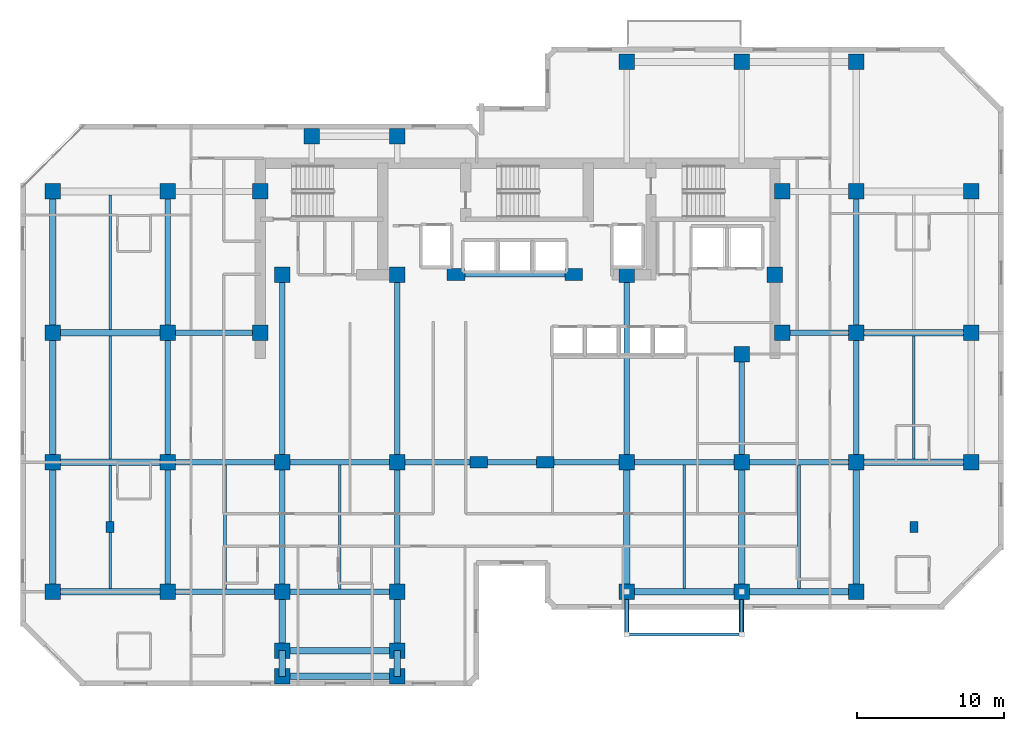
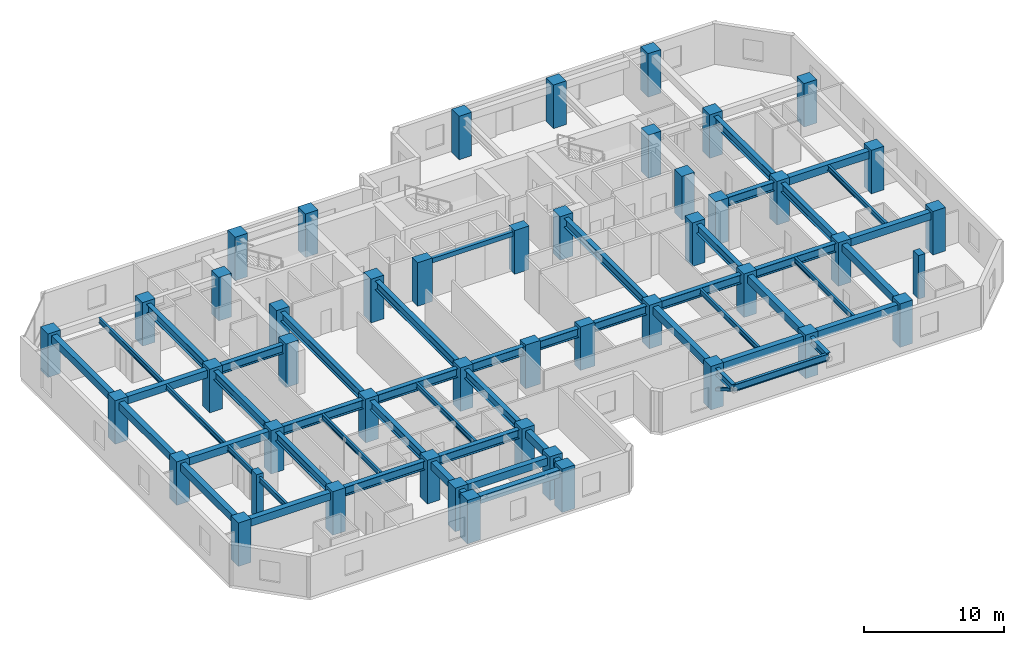
# One storey, part 1 of 10: 53 beams, 47 columns, 2 members.
"""IFC4 building model written with IfcOpenShell, lengths in metres."""

from ifc_helpers import new_model, si_unit, direction, frame, origin, origin_2d, place, context, subcontext, project, spatial, rectangle, hollow_rectangle, i_section, extrude, material, material_profile, profile_set, type_object, element, save


model = new_model("IFC4")

# Units and contexts
model_context = context("Model", 3, precision=1e-05, world=origin(), true_north=direction((0.0, 1.0)))
body_context = subcontext(model_context, "Body", "Model", "MODEL_VIEW")
ifc_project = project(units=[si_unit("LENGTHUNIT", "METRE"), si_unit("AREAUNIT", "SQUARE_METRE"), si_unit("VOLUMEUNIT", "CUBIC_METRE"), si_unit("PLANEANGLEUNIT", "RADIAN"), si_unit("MASSUNIT", "GRAM", prefix="KILO")], contexts=[model_context])

# Site, building, storey
site_placement = place(None, origin())
site = spatial("IfcSite", under=ifc_project, at=site_placement, CompositionType="ELEMENT")
building_placement = place(site_placement, origin())
building = spatial("IfcBuilding", under=site, at=building_placement, Name="Kestravale Grand Hotel", CompositionType="ELEMENT")
storey_placement = place(building_placement, frame((0.0, 0.0, 153.60009765625)))
storey = spatial("IfcBuildingStorey", under=building, at=storey_placement, Name="L38", CompositionType="ELEMENT", Elevation=153.60009765625)

# Columns
ifc_material_1 = material(Name="Concrete f'c 60 MPa", Category="concrete")
ifc_material_profile_1 = material_profile(ifc_material_1, rectangle(XDim=1.050048828125, YDim=1.050048828125, at=origin_2d()))
ifc_profile_set_1 = profile_set([ifc_material_profile_1], Name="Concrete f'c 60 MPa")
column_type_1 = type_object("IfcColumnType", Name="C-Z3-1050", PredefinedType="COLUMN", material=ifc_profile_set_1)
for number, where, z_axis, x_axis, name in (
    (1, (7.800048828125, 11.199951171875, 0.0), (0.0, 0.0, 1.0), (1.0, 0.0, 0.0), "L38 column 2-C"),
    (2, (7.800048828125, 20.0, 0.0), (0.0, 0.0, 1.0), (1.0, 0.0, 0.0), "L38 column 2-D"),
    (3, (7.800048828125, 28.800048828125, 0.0), (0.0, 0.0, 1.0), (1.0, 0.0, 0.0), "L38 column 2-E"),
    (4, (7.800048828125, 38.39990234375, 0.0), (0.0, 0.0, 1.0), (1.0, 0.0, 0.0), "L38 column 2-F"),
    (5, (15.60009765625, 11.199951171875, 0.0), (0.0, 0.0, 1.0), (1.0, 0.0, 0.0), "L38 column 3-C"),
    (6, (15.60009765625, 20.0, 0.0), (0.0, 0.0, 1.0), (1.0, 0.0, 0.0), "L38 column 3-D"),
    (7, (15.60009765625, 28.800048828125, 0.0), (0.0, 0.0, 1.0), (1.0, 0.0, 0.0), "L38 column 3-E"),
    (8, (15.60009765625, 38.39990234375, 0.0), (0.0, 0.0, 1.0), (1.0, 0.0, 0.0), "L38 column 3-F"),
    (9, (23.39990234375, 11.199951171875, 0.0), (0.0, 0.0, 1.0), (1.0, 0.0, 0.0), "L38 column 4-C"),
    (10, (23.39990234375, 20.0, 0.0), (0.0, 0.0, 1.0), (1.0, 0.0, 0.0), "L38 column 4-D"),
    (11, (31.199951171875, 11.199951171875, 0.0), (0.0, 0.0, 1.0), (1.0, 0.0, 0.0), "L38 column 5-C"),
    (12, (31.199951171875, 20.0, 0.0), (0.0, 0.0, 1.0), (1.0, 0.0, 0.0), "L38 column 5-D"),
    (13, (46.800048828125, 11.199951171875, 0.0), (0.0, 0.0, 1.0), (1.0, 0.0, 0.0), "L38 column 8-C"),
    (14, (46.800048828125, 20.0, 0.0), (0.0, 0.0, 1.0), (1.0, 0.0, 0.0), "L38 column 8-D"),
    (15, (46.800048828125, 47.199951171875, 0.0), (0.0, 0.0, 1.0), (1.0, 0.0, 0.0), "L38 column 8-G"),
    (16, (54.60009765625, 11.199951171875, 0.0), (0.0, 0.0, 1.0), (1.0, 0.0, 0.0), "L38 column 9-C"),
    (17, (54.60009765625, 20.0, 0.0), (0.0, 0.0, 1.0), (1.0, 0.0, 0.0), "L38 column 9-D"),
    (18, (54.60009765625, 47.199951171875, 0.0), (0.0, 0.0, 1.0), (1.0, 0.0, 0.0), "L38 column 9-G"),
    (19, (62.39990234375, 11.199951171875, 0.0), (0.0, 0.0, 1.0), (1.0, 0.0, 0.0), "L38 column 10-C"),
    (20, (62.39990234375, 20.0, 0.0), (0.0, 0.0, 1.0), (1.0, 0.0, 0.0), "L38 column 10-D"),
    (21, (62.39990234375, 28.800048828125, 0.0), (0.0, 0.0, 1.0), (1.0, 0.0, 0.0), "L38 column 10-E"),
    (22, (62.39990234375, 38.39990234375, 0.0), (0.0, 0.0, 1.0), (1.0, 0.0, 0.0), "L38 column 10-F"),
    (23, (62.39990234375, 47.199951171875, 0.0), (0.0, 0.0, 1.0), (1.0, 0.0, 0.0), "L38 column 10-G"),
    (24, (70.199951171875, 20.0, 0.0), (0.0, 0.0, 1.0), (1.0, 0.0, 0.0), "L38 column 11-D"),
    (25, (70.199951171875, 28.800048828125, 0.0), (0.0, 0.0, 1.0), (1.0, 0.0, 0.0), "L38 column 11-E"),
    (26, (70.199951171875, 38.39990234375, 0.0), (0.0, 0.0, 1.0), (1.0, 0.0, 0.0), "L38 column 11-F"),
    (27, (21.89990234375, 28.800048828125, 0.0), (0.0, 0.0, 1.0), (1.0, 0.0, 0.0), "L38 column CW-E"),
    (28, (21.89990234375, 38.39990234375, 0.0), (0.0, 0.0, 1.0), (1.0, 0.0, 0.0), "L38 column CW-F"),
    (29, (57.35009765625, 28.800048828125, 0.0), (0.0, 0.0, 1.0), (1.0, 0.0, 0.0), "L38 column CE-E"),
    (30, (57.35009765625, 38.39990234375, 0.0), (0.0, 0.0, 1.0), (1.0, 0.0, 0.0), "L38 column CE-F"),
    (31, (23.39990234375, 32.75, 0.0), (0.0, 0.0, 1.0), (1.0, 0.0, 0.0), "L38 column 4-CS"),
    (32, (31.199951171875, 32.75, 0.0), (0.0, 0.0, 1.0), (1.0, 0.0, 0.0), "L38 column 5-CS"),
    (33, (46.800048828125, 32.75, 0.0), (0.0, 0.0, 1.0), (1.0, 0.0, 0.0), "L38 column 8-CS"),
    (34, (54.60009765625, 27.35009765625, 0.0), (0.0, 0.0, 1.0), (1.0, 0.0, 0.0), "L38 column 9-CS"),
    (35, (56.85009765625, 32.75, 0.0), (0.0, 0.0, 1.0), (1.0, 0.0, 0.0), "L38 column 9C-CS"),
    (36, (23.39990234375, 7.199951171875, 0.0), (0.0, 0.0, 1.0), (1.0, 0.0, 0.0), "L38 column 4-BS"),
    (37, (31.199951171875, 7.199951171875, 0.0), (0.0, 0.0, 1.0), (1.0, 0.0, 0.0), "L38 column 5-BS"),
    (38, (25.39990234375, 42.14990234375, 0.0), (0.0, 0.0, 1.0), (1.0, 0.0, 0.0), "L38 column 4-FN"),
    (39, (31.199951171875, 42.14990234375, 0.0), (0.0, 0.0, 1.0), (1.0, 0.0, 0.0), "L38 column 5-FN"),
    (40, (23.39990234375, 5.449951171875, 0.0), (0.0, 0.0, 1.0), (1.0, 0.0, 0.0), "L38 column 4-B1S"),
    (41, (31.199951171875, 5.449951171875, 0.0), (0.0, 0.0, 1.0), (1.0, 0.0, 0.0), "L38 column 5-B1S"),
):
    element("IfcColumn", number, at=place(storey_placement, frame(where, z_axis=z_axis, x_axis=x_axis)), inside=storey, type_object=column_type_1, Name=name, PredefinedType="COLUMN", context=body_context, shape_type="SweptSolid", body=[
        extrude(rectangle(XDim=1.050048828125, YDim=1.050048828125, at=origin_2d()), origin(), (0.0, 0.0, 1.0), 3.7998046875),
    ])
ifc_material_2 = material(Name="Concrete f'c 60 MPa", Category="concrete")
ifc_material_profile_2 = material_profile(ifc_material_2, rectangle(XDim=1.199951171875, YDim=0.800048828125, at=origin_2d()))
ifc_profile_set_2 = profile_set([ifc_material_profile_2], Name="Concrete f'c 60 MPa")
column_type_2 = type_object("IfcColumnType", Name="C-Z3-1200X800", PredefinedType="COLUMN", material=ifc_profile_set_2)
for number, where, z_axis, x_axis, name in (
    (42, (36.75, 20.0, 0.0), (0.0, 0.0, 1.0), (1.0, 0.0, 0.0), "L38 column 6-D"),
    (43, (41.25, 20.0, 0.0), (0.0, 0.0, 1.0), (1.0, 0.0, 0.0), "L38 column 7-D"),
    (44, (35.199951171875, 32.75, 0.0), (0.0, 0.0, 1.0), (1.0, 0.0, 0.0), "L38 column 6C-CS"),
    (45, (43.199951171875, 32.75, 0.0), (0.0, 0.0, 1.0), (1.0, 0.0, 0.0), "L38 column 7C-CS"),
):
    element("IfcColumn", number, at=place(storey_placement, frame(where, z_axis=z_axis, x_axis=x_axis)), inside=storey, type_object=column_type_2, Name=name, PredefinedType="COLUMN", context=body_context, shape_type="SweptSolid", body=[
        extrude(rectangle(XDim=1.199951171875, YDim=0.800048828125, at=origin_2d()), origin(), (0.0, 0.0, 1.0), 3.7998046875),
    ])
ifc_material_3 = material(Name="Precast concrete f'c 45 MPa", Category="concrete")
ifc_material_profile_3 = material_profile(ifc_material_3, rectangle(XDim=0.550048828125, YDim=0.75, at=origin_2d()))
ifc_profile_set_3 = profile_set([ifc_material_profile_3], Name="Precast concrete f'c 45 MPa")
column_type_3 = type_object("IfcColumnType", Name="C-Z3-PIL750", PredefinedType="PILASTER", material=ifc_profile_set_3)
for number, where, z_axis, x_axis, name in (
    (46, (11.699951171875, 15.60009765625, 0.0), (0.0, 0.0, 1.0), (1.0, 0.0, 0.0), "L38 Art Deco fluted pilaster P1"),
    (47, (66.300048828125, 15.60009765625, 0.0), (0.0, 0.0, 1.0), (1.0, 0.0, 0.0), "L38 Art Deco fluted pilaster P2"),
):
    element("IfcColumn", number, at=place(storey_placement, frame(where, z_axis=z_axis, x_axis=x_axis)), inside=storey, type_object=column_type_3, Name=name, PredefinedType="PILASTER", context=body_context, shape_type="SweptSolid", body=[
        extrude(rectangle(XDim=0.550048828125, YDim=0.75, at=origin_2d()), origin(), (0.0, 0.0, 1.0), 3.7998046875),
    ])

# Beams
ifc_material_4 = material(Name="Steel ASTM A992 Grade 50", Category="steel")
ifc_material_profile_4 = material_profile(ifc_material_4, i_section(OverallWidth=0.19091796875, OverallDepth=0.45703125, WebThickness=0.009033203125, FlangeThickness=0.014404296875, FilletRadius=0.015380859375, at=origin_2d()))
ifc_profile_set_4 = profile_set([ifc_material_profile_4], Name="Steel ASTM A992 Grade 50")
beam_type_1 = type_object("IfcBeamType", Name="B-FLR-JST18", PredefinedType="JOIST", material=ifc_profile_set_4)
for number, where, z_axis, x_axis, name in (
    (48, (11.699951171875, 11.425048828125, 3.3212890625), (0.0, 1.0, 0.0), (-1.0, 0.0, 0.0), "L38 floor joist 2-3/C-D #1"),
    (49, (11.699951171875, 20.22509765625, 3.3212890625), (0.0, 1.0, 0.0), (-1.0, 0.0, 0.0), "L38 floor joist 2-3/D-E #1"),
):
    element("IfcBeam", number, at=place(storey_placement, frame(where, z_axis=z_axis, x_axis=x_axis)), inside=storey, type_object=beam_type_1, Name=name, PredefinedType="JOIST", context=body_context, shape_type="SweptSolid", body=[
        extrude(i_section(OverallWidth=0.19091796875, OverallDepth=0.45703125, WebThickness=0.009033203125, FlangeThickness=0.014404296875, FilletRadius=0.015380859375, at=origin_2d()), origin(), (0.0, 0.0, 1.0), 8.349853515625),
    ])
beam_1_placement = place(storey_placement, frame((11.699951171875, 29.02490234375, 3.3212890625), z_axis=(0.0, 1.0, 0.0), x_axis=(-1.0, 0.0, 0.0)))
element("IfcBeam", 50, at=beam_1_placement, inside=storey, type_object=beam_type_1, Name="L38 floor joist 2-3/E-F #1", PredefinedType="JOIST", context=body_context, shape_type="SweptSolid", body=[
    extrude(i_section(OverallWidth=0.19091796875, OverallDepth=0.45703125, WebThickness=0.009033203125, FlangeThickness=0.014404296875, FilletRadius=0.015380859375, at=origin_2d()), origin(), (0.0, 0.0, 1.0), 9.150146484375),
])
for number, where, z_axis, x_axis, name in (
    (51, (19.5, 11.390380859375, 3.3212890625), (0.0, 1.0, 0.0), (-1.0, 0.0, 0.0), "L38 floor joist 3-4/C-D #1"),
    (52, (27.300048828125, 11.390380859375, 3.3212890625), (0.0, 1.0, 0.0), (-1.0, 0.0, 0.0), "L38 floor joist 4-5/C-D #1"),
):
    element("IfcBeam", number, at=place(storey_placement, frame(where, z_axis=z_axis, x_axis=x_axis)), inside=storey, type_object=beam_type_1, Name=name, PredefinedType="JOIST", context=body_context, shape_type="SweptSolid", body=[
        extrude(i_section(OverallWidth=0.19091796875, OverallDepth=0.45703125, WebThickness=0.009033203125, FlangeThickness=0.014404296875, FilletRadius=0.015380859375, at=origin_2d()), origin(), (0.0, 0.0, 1.0), 8.419189453125),
    ])
for number, where, z_axis, x_axis, name in (
    (53, (50.699951171875, 11.425048828125, 3.3212890625), (0.0, 1.0, 0.0), (-1.0, 0.0, 0.0), "L38 floor joist 8-9/C-D #1"),
    (54, (58.5, 11.425048828125, 3.3212890625), (0.0, 1.0, 0.0), (-1.0, 0.0, 0.0), "L38 floor joist 9-10/C-D #1"),
):
    element("IfcBeam", number, at=place(storey_placement, frame(where, z_axis=z_axis, x_axis=x_axis)), inside=storey, type_object=beam_type_1, Name=name, PredefinedType="JOIST", context=body_context, shape_type="SweptSolid", body=[
        extrude(i_section(OverallWidth=0.19091796875, OverallDepth=0.45703125, WebThickness=0.009033203125, FlangeThickness=0.014404296875, FilletRadius=0.015380859375, at=origin_2d()), origin(), (0.0, 0.0, 1.0), 8.384521484375),
    ])
beam_2_placement = place(storey_placement, frame((66.300048828125, 20.22509765625, 3.3212890625), z_axis=(0.0, 1.0, 0.0), x_axis=(-1.0, 0.0, 0.0)))
element("IfcBeam", 55, at=beam_2_placement, inside=storey, type_object=beam_type_1, Name="L38 floor joist 10-11/D-E #1", PredefinedType="JOIST", context=body_context, shape_type="SweptSolid", body=[
    extrude(i_section(OverallWidth=0.19091796875, OverallDepth=0.45703125, WebThickness=0.009033203125, FlangeThickness=0.014404296875, FilletRadius=0.015380859375, at=origin_2d()), origin(), (0.0, 0.0, 1.0), 8.349853515625),
])
ifc_material_5 = material(Name="Concrete f'c 45 MPa", Category="concrete")
ifc_material_profile_5 = material_profile(ifc_material_5, rectangle(XDim=0.300048828125, YDim=0.39990234375, at=origin_2d()))
ifc_profile_set_5 = profile_set([ifc_material_profile_5], Name="Concrete f'c 45 MPa")
beam_type_2 = type_object("IfcBeamType", Name="B-FLR-LNT400", PredefinedType="LINTEL", material=ifc_profile_set_5)
beam_3_placement = place(storey_placement, frame((35.199951171875, 32.75, 3.349853515625), z_axis=(1.0, 0.0, 0.0), x_axis=(0.0, 1.0, 0.0)))
element("IfcBeam", 56, at=beam_3_placement, inside=storey, type_object=beam_type_2, Name="L38 core portal header lintel", PredefinedType="LINTEL", context=body_context, shape_type="SweptSolid", body=[
    extrude(rectangle(XDim=0.300048828125, YDim=0.39990234375, at=origin_2d()), origin(), (0.0, 0.0, 1.0), 8.0),
])
ifc_material_6 = material(Name="Concrete f'c 45 MPa", Category="concrete")
ifc_material_profile_6 = material_profile(ifc_material_6, rectangle(XDim=0.449951171875, YDim=0.64990234375, at=origin_2d()))
ifc_profile_set_6 = profile_set([ifc_material_profile_6], Name="Concrete f'c 45 MPa")
beam_type_3 = type_object("IfcBeamType", Name="B-FLR-RC650", PredefinedType="SPANDREL", material=ifc_profile_set_6)
for number, where, z_axis, x_axis, name in (
    (57, (7.800048828125, 11.199951171875, 3.224853515625), (1.0, 0.0, 0.0), (0.0, 1.0, 0.0), "L38 spandrel C:2-3"),
    (58, (46.800048828125, 11.199951171875, 3.224853515625), (1.0, 0.0, 0.0), (0.0, 1.0, 0.0), "L38 spandrel C:8-9"),
):
    element("IfcBeam", number, at=place(storey_placement, frame(where, z_axis=z_axis, x_axis=x_axis)), inside=storey, type_object=beam_type_3, Name=name, PredefinedType="SPANDREL", context=body_context, shape_type="SweptSolid", body=[
        extrude(rectangle(XDim=0.449951171875, YDim=0.64990234375, at=origin_2d()), origin(), (0.0, 0.0, 1.0), 7.800048828125),
    ])
beam_4_placement = place(storey_placement, frame((54.60009765625, 11.199951171875, 3.224853515625), z_axis=(1.0, 0.0, 0.0), x_axis=(0.0, 1.0, 0.0)))
element("IfcBeam", 59, at=beam_4_placement, inside=storey, type_object=beam_type_3, Name="L38 spandrel C:9-10", PredefinedType="SPANDREL", context=body_context, shape_type="SweptSolid", body=[
    extrude(rectangle(XDim=0.449951171875, YDim=0.64990234375, at=origin_2d()), origin(), (0.0, 0.0, 1.0), 7.7998046875),
])
for number, where, z_axis, x_axis, name in (
    (60, (7.800048828125, 20.0, 3.224853515625), (1.0, 0.0, 0.0), (0.0, 1.0, 0.0), "L38 spandrel D:2-3"),
    (61, (62.39990234375, 20.0, 3.224853515625), (1.0, 0.0, 0.0), (0.0, 1.0, 0.0), "L38 spandrel D:10-11"),
    (62, (7.800048828125, 28.800048828125, 3.224853515625), (1.0, 0.0, 0.0), (0.0, 1.0, 0.0), "L38 spandrel E:2-3"),
    (63, (62.39990234375, 28.800048828125, 3.224853515625), (1.0, 0.0, 0.0), (0.0, 1.0, 0.0), "L38 spandrel E:10-11"),
    (64, (23.39990234375, 5.449951171875, 3.224853515625), (1.0, 0.0, 0.0), (0.0, 1.0, 0.0), "L38 perimeter tie spandrel B1S:4-5"),
    (65, (23.39990234375, 7.199951171875, 3.224853515625), (1.0, 0.0, 0.0), (0.0, 1.0, 0.0), "L38 perimeter tie spandrel BS:4-5"),
):
    element("IfcBeam", number, at=place(storey_placement, frame(where, z_axis=z_axis, x_axis=x_axis)), inside=storey, type_object=beam_type_3, Name=name, PredefinedType="SPANDREL", context=body_context, shape_type="SweptSolid", body=[
        extrude(rectangle(XDim=0.449951171875, YDim=0.64990234375, at=origin_2d()), origin(), (0.0, 0.0, 1.0), 7.800048828125),
    ])
for number, where, z_axis, x_axis, name in (
    (66, (7.800048828125, 11.199951171875, 3.224853515625), (0.0, 1.0, 0.0), (-1.0, 0.0, 0.0), "L38 spandrel 2:C-D"),
    (67, (7.800048828125, 20.0, 3.224853515625), (0.0, 1.0, 0.0), (-1.0, 0.0, 0.0), "L38 spandrel 2:D-E"),
):
    element("IfcBeam", number, at=place(storey_placement, frame(where, z_axis=z_axis, x_axis=x_axis)), inside=storey, type_object=beam_type_3, Name=name, PredefinedType="SPANDREL", context=body_context, shape_type="SweptSolid", body=[
        extrude(rectangle(XDim=0.449951171875, YDim=0.64990234375, at=origin_2d()), origin(), (0.0, 0.0, 1.0), 8.800048828125),
    ])
beam_5_placement = place(storey_placement, frame((7.800048828125, 28.800048828125, 3.224853515625), z_axis=(0.0, 1.0, 0.0), x_axis=(-1.0, 0.0, 0.0)))
element("IfcBeam", 68, at=beam_5_placement, inside=storey, type_object=beam_type_3, Name="L38 spandrel 2:E-F", PredefinedType="SPANDREL", context=body_context, shape_type="SweptSolid", body=[
    extrude(rectangle(XDim=0.449951171875, YDim=0.64990234375, at=origin_2d()), origin(), (0.0, 0.0, 1.0), 9.599853515625),
])
beam_6_placement = place(storey_placement, frame((23.39990234375, 5.449951171875, 3.224853515625), z_axis=(0.0, 1.0, 0.0), x_axis=(-1.0, 0.0, 0.0)))
element("IfcBeam", 69, at=beam_6_placement, inside=storey, type_object=beam_type_3, Name="L38 spandrel 4:B1S-BS", PredefinedType="SPANDREL", context=body_context, shape_type="SweptSolid", body=[
    extrude(rectangle(XDim=0.449951171875, YDim=0.64990234375, at=origin_2d()), origin(), (0.0, 0.0, 1.0), 1.75),
])
beam_7_placement = place(storey_placement, frame((23.39990234375, 7.199951171875, 3.224853515625), z_axis=(0.0, 1.0, 0.0), x_axis=(-1.0, 0.0, 0.0)))
element("IfcBeam", 70, at=beam_7_placement, inside=storey, type_object=beam_type_3, Name="L38 spandrel 4:BS-C", PredefinedType="SPANDREL", context=body_context, shape_type="SweptSolid", body=[
    extrude(rectangle(XDim=0.449951171875, YDim=0.64990234375, at=origin_2d()), origin(), (0.0, 0.0, 1.0), 4.0),
])
beam_8_placement = place(storey_placement, frame((31.199951171875, 5.449951171875, 3.224853515625), z_axis=(0.0, 1.0, 0.0), x_axis=(-1.0, 0.0, 0.0)))
element("IfcBeam", 71, at=beam_8_placement, inside=storey, type_object=beam_type_3, Name="L38 spandrel 5:B1S-BS", PredefinedType="SPANDREL", context=body_context, shape_type="SweptSolid", body=[
    extrude(rectangle(XDim=0.449951171875, YDim=0.64990234375, at=origin_2d()), origin(), (0.0, 0.0, 1.0), 1.75),
])
beam_9_placement = place(storey_placement, frame((31.199951171875, 7.199951171875, 3.224853515625), z_axis=(0.0, 1.0, 0.0), x_axis=(-1.0, 0.0, 0.0)))
element("IfcBeam", 72, at=beam_9_placement, inside=storey, type_object=beam_type_3, Name="L38 spandrel 5:BS-C", PredefinedType="SPANDREL", context=body_context, shape_type="SweptSolid", body=[
    extrude(rectangle(XDim=0.449951171875, YDim=0.64990234375, at=origin_2d()), origin(), (0.0, 0.0, 1.0), 4.0),
])
for number, where, z_axis, x_axis, name in (
    (73, (46.800048828125, 11.199951171875, 3.224853515625), (0.0, 1.0, 0.0), (-1.0, 0.0, 0.0), "L38 spandrel 8:C-D"),
    (74, (54.60009765625, 11.199951171875, 3.224853515625), (0.0, 1.0, 0.0), (-1.0, 0.0, 0.0), "L38 spandrel 9:C-D"),
    (75, (62.39990234375, 11.199951171875, 3.224853515625), (0.0, 1.0, 0.0), (-1.0, 0.0, 0.0), "L38 spandrel 10:C-D"),
):
    element("IfcBeam", number, at=place(storey_placement, frame(where, z_axis=z_axis, x_axis=x_axis)), inside=storey, type_object=beam_type_3, Name=name, PredefinedType="SPANDREL", context=body_context, shape_type="SweptSolid", body=[
        extrude(rectangle(XDim=0.449951171875, YDim=0.64990234375, at=origin_2d()), origin(), (0.0, 0.0, 1.0), 8.800048828125),
    ])
ifc_material_7 = material(Name="Steel ASTM A992 Grade 50", Category="steel")
ifc_material_profile_7 = material_profile(ifc_material_7, i_section(OverallWidth=0.324951171875, OverallDepth=0.612060546875, WebThickness=0.0126953125, FlangeThickness=0.01904296875, FilletRadius=0.018798828125, at=origin_2d()))
ifc_profile_set_7 = profile_set([ifc_material_profile_7], Name="Steel ASTM A992 Grade 50")
beam_type_4 = type_object("IfcBeamType", Name="B-FLR-W24A", PredefinedType="SPANDREL", material=ifc_profile_set_7)
for number, where, z_axis, x_axis, name in (
    (76, (46.800048828125, 11.199951171875, 3.223876953125), (0.0, -1.0, 0.0), (1.0, 0.0, 0.0), "L39 terrace cantilever beam 1"),
    (77, (54.60009765625, 11.199951171875, 3.223876953125), (0.0, -1.0, 0.0), (1.0, 0.0, 0.0), "L39 terrace cantilever beam 2"),
):
    element("IfcBeam", number, at=place(storey_placement, frame(where, z_axis=z_axis, x_axis=x_axis)), inside=storey, type_object=beam_type_4, Name=name, PredefinedType="SPANDREL", context=body_context, shape_type="SweptSolid", body=[
        extrude(i_section(OverallWidth=0.324951171875, OverallDepth=0.612060546875, WebThickness=0.0126953125, FlangeThickness=0.01904296875, FilletRadius=0.018798828125, at=origin_2d()), origin(), (0.0, 0.0, 1.0), 2.89990234375),
    ])
ifc_material_8 = material(Name="Steel ASTM A992 Grade 50", Category="steel")
ifc_material_profile_8 = material_profile(ifc_material_8, i_section(OverallWidth=0.22900390625, OverallDepth=0.612060546875, WebThickness=0.011962890625, FlangeThickness=0.01953125, FilletRadius=0.019287109375, at=origin_2d()))
ifc_profile_set_8 = profile_set([ifc_material_profile_8], Name="Steel ASTM A992 Grade 50")
beam_type_5 = type_object("IfcBeamType", Name="B-FLR-W24B", PredefinedType="SPANDREL", material=ifc_profile_set_8)
beam_10_placement = place(storey_placement, frame((46.800048828125, 8.300048828125, 3.223876953125), z_axis=(1.0, 0.0, 0.0), x_axis=(0.0, 1.0, 0.0)))
element("IfcBeam", 78, at=beam_10_placement, inside=storey, type_object=beam_type_5, Name="L39 terrace edge spandrel", PredefinedType="SPANDREL", context=body_context, shape_type="SweptSolid", body=[
    extrude(i_section(OverallWidth=0.22900390625, OverallDepth=0.612060546875, WebThickness=0.011962890625, FlangeThickness=0.01953125, FilletRadius=0.019287109375, at=origin_2d()), origin(), (0.0, 0.0, 1.0), 7.800048828125),
])
ifc_material_9 = material(Name="Steel ASTM A992 Grade 50", Category="steel")
ifc_material_profile_9 = material_profile(ifc_material_9, i_section(OverallWidth=0.381103515625, OverallDepth=0.77197265625, WebThickness=0.0166015625, FlangeThickness=0.027099609375, FilletRadius=0.023681640625, at=origin_2d()))
ifc_profile_set_9 = profile_set([ifc_material_profile_9], Name="Steel ASTM A992 Grade 50")
beam_type_6 = type_object("IfcBeamType", Name="B-GRD-W30", PredefinedType="BEAM", material=ifc_profile_set_9)
beam_11_placement = place(storey_placement, frame((15.60009765625, 11.199951171875, 3.163818359375), z_axis=(1.0, 0.0, 0.0), x_axis=(0.0, 1.0, 0.0)))
element("IfcBeam", 79, at=beam_11_placement, inside=storey, type_object=beam_type_6, Name="L38 girder C:3-4", PredefinedType="BEAM", context=body_context, shape_type="SweptSolid", body=[
    extrude(i_section(OverallWidth=0.381103515625, OverallDepth=0.77197265625, WebThickness=0.0166015625, FlangeThickness=0.027099609375, FilletRadius=0.023681640625, at=origin_2d()), origin(), (0.0, 0.0, 1.0), 7.7998046875),
])
beam_12_placement = place(storey_placement, frame((23.39990234375, 11.199951171875, 3.163818359375), z_axis=(1.0, 0.0, 0.0), x_axis=(0.0, 1.0, 0.0)))
element("IfcBeam", 80, at=beam_12_placement, inside=storey, type_object=beam_type_6, Name="L38 girder C:4-5", PredefinedType="BEAM", context=body_context, shape_type="SweptSolid", body=[
    extrude(i_section(OverallWidth=0.381103515625, OverallDepth=0.77197265625, WebThickness=0.0166015625, FlangeThickness=0.027099609375, FilletRadius=0.023681640625, at=origin_2d()), origin(), (0.0, 0.0, 1.0), 7.800048828125),
])
beam_13_placement = place(storey_placement, frame((15.60009765625, 20.0, 3.163818359375), z_axis=(1.0, 0.0, 0.0), x_axis=(0.0, 1.0, 0.0)))
element("IfcBeam", 81, at=beam_13_placement, inside=storey, type_object=beam_type_6, Name="L38 girder D:3-4", PredefinedType="BEAM", context=body_context, shape_type="SweptSolid", body=[
    extrude(i_section(OverallWidth=0.381103515625, OverallDepth=0.77197265625, WebThickness=0.0166015625, FlangeThickness=0.027099609375, FilletRadius=0.023681640625, at=origin_2d()), origin(), (0.0, 0.0, 1.0), 7.7998046875),
])
beam_14_placement = place(storey_placement, frame((23.39990234375, 20.0, 3.163818359375), z_axis=(1.0, 0.0, 0.0), x_axis=(0.0, 1.0, 0.0)))
element("IfcBeam", 82, at=beam_14_placement, inside=storey, type_object=beam_type_6, Name="L38 girder D:4-5", PredefinedType="BEAM", context=body_context, shape_type="SweptSolid", body=[
    extrude(i_section(OverallWidth=0.381103515625, OverallDepth=0.77197265625, WebThickness=0.0166015625, FlangeThickness=0.027099609375, FilletRadius=0.023681640625, at=origin_2d()), origin(), (0.0, 0.0, 1.0), 7.800048828125),
])
beam_15_placement = place(storey_placement, frame((31.199951171875, 20.0, 3.163818359375), z_axis=(1.0, 0.0, 0.0), x_axis=(0.0, 1.0, 0.0)))
element("IfcBeam", 83, at=beam_15_placement, inside=storey, type_object=beam_type_6, Name="L38 girder D:5-6", PredefinedType="BEAM", context=body_context, shape_type="SweptSolid", body=[
    extrude(i_section(OverallWidth=0.381103515625, OverallDepth=0.77197265625, WebThickness=0.0166015625, FlangeThickness=0.027099609375, FilletRadius=0.023681640625, at=origin_2d()), origin(), (0.0, 0.0, 1.0), 5.550048828125),
])
beam_16_placement = place(storey_placement, frame((36.75, 20.0, 3.163818359375), z_axis=(1.0, 0.0, 0.0), x_axis=(0.0, 1.0, 0.0)))
element("IfcBeam", 84, at=beam_16_placement, inside=storey, type_object=beam_type_6, Name="L38 girder D:6-7", PredefinedType="BEAM", context=body_context, shape_type="SweptSolid", body=[
    extrude(i_section(OverallWidth=0.381103515625, OverallDepth=0.77197265625, WebThickness=0.0166015625, FlangeThickness=0.027099609375, FilletRadius=0.023681640625, at=origin_2d()), origin(), (0.0, 0.0, 1.0), 4.5),
])
beam_17_placement = place(storey_placement, frame((41.25, 20.0, 3.163818359375), z_axis=(1.0, 0.0, 0.0), x_axis=(0.0, 1.0, 0.0)))
element("IfcBeam", 85, at=beam_17_placement, inside=storey, type_object=beam_type_6, Name="L38 girder D:7-8", PredefinedType="BEAM", context=body_context, shape_type="SweptSolid", body=[
    extrude(i_section(OverallWidth=0.381103515625, OverallDepth=0.77197265625, WebThickness=0.0166015625, FlangeThickness=0.027099609375, FilletRadius=0.023681640625, at=origin_2d()), origin(), (0.0, 0.0, 1.0), 5.550048828125),
])
beam_18_placement = place(storey_placement, frame((46.800048828125, 20.0, 3.163818359375), z_axis=(1.0, 0.0, 0.0), x_axis=(0.0, 1.0, 0.0)))
element("IfcBeam", 86, at=beam_18_placement, inside=storey, type_object=beam_type_6, Name="L38 girder D:8-9", PredefinedType="BEAM", context=body_context, shape_type="SweptSolid", body=[
    extrude(i_section(OverallWidth=0.381103515625, OverallDepth=0.77197265625, WebThickness=0.0166015625, FlangeThickness=0.027099609375, FilletRadius=0.023681640625, at=origin_2d()), origin(), (0.0, 0.0, 1.0), 7.800048828125),
])
beam_19_placement = place(storey_placement, frame((54.60009765625, 20.0, 3.163818359375), z_axis=(1.0, 0.0, 0.0), x_axis=(0.0, 1.0, 0.0)))
element("IfcBeam", 87, at=beam_19_placement, inside=storey, type_object=beam_type_6, Name="L38 girder D:9-10", PredefinedType="BEAM", context=body_context, shape_type="SweptSolid", body=[
    extrude(i_section(OverallWidth=0.381103515625, OverallDepth=0.77197265625, WebThickness=0.0166015625, FlangeThickness=0.027099609375, FilletRadius=0.023681640625, at=origin_2d()), origin(), (0.0, 0.0, 1.0), 7.7998046875),
])
beam_20_placement = place(storey_placement, frame((15.60009765625, 28.800048828125, 3.163818359375), z_axis=(1.0, 0.0, 0.0), x_axis=(0.0, 1.0, 0.0)))
element("IfcBeam", 88, at=beam_20_placement, inside=storey, type_object=beam_type_6, Name="L38 girder E:3-CW", PredefinedType="BEAM", context=body_context, shape_type="SweptSolid", body=[
    extrude(i_section(OverallWidth=0.381103515625, OverallDepth=0.77197265625, WebThickness=0.0166015625, FlangeThickness=0.027099609375, FilletRadius=0.023681640625, at=origin_2d()), origin(), (0.0, 0.0, 1.0), 6.2998046875),
])
beam_21_placement = place(storey_placement, frame((57.35009765625, 28.800048828125, 3.163818359375), z_axis=(1.0, 0.0, 0.0), x_axis=(0.0, 1.0, 0.0)))
element("IfcBeam", 89, at=beam_21_placement, inside=storey, type_object=beam_type_6, Name="L38 girder E:CE-10", PredefinedType="BEAM", context=body_context, shape_type="SweptSolid", body=[
    extrude(i_section(OverallWidth=0.381103515625, OverallDepth=0.77197265625, WebThickness=0.0166015625, FlangeThickness=0.027099609375, FilletRadius=0.023681640625, at=origin_2d()), origin(), (0.0, 0.0, 1.0), 5.0498046875),
])
for number, where, z_axis, x_axis, name in (
    (90, (15.60009765625, 11.199951171875, 3.163818359375), (0.0, 1.0, 0.0), (-1.0, 0.0, 0.0), "L38 girder 3:C-D"),
    (91, (15.60009765625, 20.0, 3.163818359375), (0.0, 1.0, 0.0), (-1.0, 0.0, 0.0), "L38 girder 3:D-E"),
):
    element("IfcBeam", number, at=place(storey_placement, frame(where, z_axis=z_axis, x_axis=x_axis)), inside=storey, type_object=beam_type_6, Name=name, PredefinedType="BEAM", context=body_context, shape_type="SweptSolid", body=[
        extrude(i_section(OverallWidth=0.381103515625, OverallDepth=0.77197265625, WebThickness=0.0166015625, FlangeThickness=0.027099609375, FilletRadius=0.023681640625, at=origin_2d()), origin(), (0.0, 0.0, 1.0), 8.800048828125),
    ])
beam_22_placement = place(storey_placement, frame((15.60009765625, 28.800048828125, 3.163818359375), z_axis=(0.0, 1.0, 0.0), x_axis=(-1.0, 0.0, 0.0)))
element("IfcBeam", 92, at=beam_22_placement, inside=storey, type_object=beam_type_6, Name="L38 girder 3:E-F", PredefinedType="BEAM", context=body_context, shape_type="SweptSolid", body=[
    extrude(i_section(OverallWidth=0.381103515625, OverallDepth=0.77197265625, WebThickness=0.0166015625, FlangeThickness=0.027099609375, FilletRadius=0.023681640625, at=origin_2d()), origin(), (0.0, 0.0, 1.0), 9.599853515625),
])
beam_23_placement = place(storey_placement, frame((23.39990234375, 11.199951171875, 3.163818359375), z_axis=(0.0, 1.0, 0.0), x_axis=(-1.0, 0.0, 0.0)))
element("IfcBeam", 93, at=beam_23_placement, inside=storey, type_object=beam_type_6, Name="L38 girder 4:C-D", PredefinedType="BEAM", context=body_context, shape_type="SweptSolid", body=[
    extrude(i_section(OverallWidth=0.381103515625, OverallDepth=0.77197265625, WebThickness=0.0166015625, FlangeThickness=0.027099609375, FilletRadius=0.023681640625, at=origin_2d()), origin(), (0.0, 0.0, 1.0), 8.800048828125),
])
beam_24_placement = place(storey_placement, frame((23.39990234375, 20.0, 3.163818359375), z_axis=(0.0, 1.0, 0.0), x_axis=(-1.0, 0.0, 0.0)))
element("IfcBeam", 94, at=beam_24_placement, inside=storey, type_object=beam_type_6, Name="L38 girder 4:D-CS", PredefinedType="BEAM", context=body_context, shape_type="SweptSolid", body=[
    extrude(i_section(OverallWidth=0.381103515625, OverallDepth=0.77197265625, WebThickness=0.0166015625, FlangeThickness=0.027099609375, FilletRadius=0.023681640625, at=origin_2d()), origin(), (0.0, 0.0, 1.0), 12.75),
])
beam_25_placement = place(storey_placement, frame((31.199951171875, 11.199951171875, 3.163818359375), z_axis=(0.0, 1.0, 0.0), x_axis=(-1.0, 0.0, 0.0)))
element("IfcBeam", 95, at=beam_25_placement, inside=storey, type_object=beam_type_6, Name="L38 girder 5:C-D", PredefinedType="BEAM", context=body_context, shape_type="SweptSolid", body=[
    extrude(i_section(OverallWidth=0.381103515625, OverallDepth=0.77197265625, WebThickness=0.0166015625, FlangeThickness=0.027099609375, FilletRadius=0.023681640625, at=origin_2d()), origin(), (0.0, 0.0, 1.0), 8.800048828125),
])
for number, where, z_axis, x_axis, name in (
    (96, (31.199951171875, 20.0, 3.163818359375), (0.0, 1.0, 0.0), (-1.0, 0.0, 0.0), "L38 girder 5:D-CS"),
    (97, (46.800048828125, 20.0, 3.163818359375), (0.0, 1.0, 0.0), (-1.0, 0.0, 0.0), "L38 girder 8:D-CS"),
):
    element("IfcBeam", number, at=place(storey_placement, frame(where, z_axis=z_axis, x_axis=x_axis)), inside=storey, type_object=beam_type_6, Name=name, PredefinedType="BEAM", context=body_context, shape_type="SweptSolid", body=[
        extrude(i_section(OverallWidth=0.381103515625, OverallDepth=0.77197265625, WebThickness=0.0166015625, FlangeThickness=0.027099609375, FilletRadius=0.023681640625, at=origin_2d()), origin(), (0.0, 0.0, 1.0), 12.75),
    ])
beam_26_placement = place(storey_placement, frame((54.60009765625, 20.0, 3.163818359375), z_axis=(0.0, 1.0, 0.0), x_axis=(-1.0, 0.0, 0.0)))
element("IfcBeam", 98, at=beam_26_placement, inside=storey, type_object=beam_type_6, Name="L38 girder 9:D-CS", PredefinedType="BEAM", context=body_context, shape_type="SweptSolid", body=[
    extrude(i_section(OverallWidth=0.381103515625, OverallDepth=0.77197265625, WebThickness=0.0166015625, FlangeThickness=0.027099609375, FilletRadius=0.023681640625, at=origin_2d()), origin(), (0.0, 0.0, 1.0), 7.35009765625),
])
beam_27_placement = place(storey_placement, frame((62.39990234375, 20.0, 3.163818359375), z_axis=(0.0, 1.0, 0.0), x_axis=(-1.0, 0.0, 0.0)))
element("IfcBeam", 99, at=beam_27_placement, inside=storey, type_object=beam_type_6, Name="L38 girder 10:D-E", PredefinedType="BEAM", context=body_context, shape_type="SweptSolid", body=[
    extrude(i_section(OverallWidth=0.381103515625, OverallDepth=0.77197265625, WebThickness=0.0166015625, FlangeThickness=0.027099609375, FilletRadius=0.023681640625, at=origin_2d()), origin(), (0.0, 0.0, 1.0), 8.800048828125),
])
beam_28_placement = place(storey_placement, frame((62.39990234375, 28.800048828125, 3.163818359375), z_axis=(0.0, 1.0, 0.0), x_axis=(-1.0, 0.0, 0.0)))
element("IfcBeam", 100, at=beam_28_placement, inside=storey, type_object=beam_type_6, Name="L38 girder 10:E-F", PredefinedType="BEAM", context=body_context, shape_type="SweptSolid", body=[
    extrude(i_section(OverallWidth=0.381103515625, OverallDepth=0.77197265625, WebThickness=0.0166015625, FlangeThickness=0.027099609375, FilletRadius=0.023681640625, at=origin_2d()), origin(), (0.0, 0.0, 1.0), 9.599853515625),
])

# Members
ifc_material_10 = material(Name="Steel ASTM A500 Grade C", Category="steel")
ifc_material_profile_10 = material_profile(ifc_material_10, hollow_rectangle(XDim=0.25, YDim=0.25, WallThickness=0.011962890625, InnerFilletRadius=0.011962890625, OuterFilletRadius=0.02392578125, at=origin_2d()))
ifc_profile_set_10 = profile_set([ifc_material_profile_10], Name="Steel ASTM A500 Grade C")
member_type = type_object("IfcMemberType", Name="M-BLT-STR250", PredefinedType="STRUT", material=ifc_profile_set_10)
for number, where, z_axis, x_axis, name in (
    (101, (46.800048828125, 11.199951171875, 1.3740234375), (0.0, -0.862696877435, 0.505721363662), (1.0, 0.0, 0.0), "L39 terrace knee-brace strut 1"),
    (102, (54.60009765625, 11.199951171875, 1.3740234375), (0.0, -0.862696877435, 0.505721363662), (1.0, 0.0, 0.0), "L39 terrace knee-brace strut 2"),
):
    element("IfcMember", number, at=place(storey_placement, frame(where, z_axis=z_axis, x_axis=x_axis)), inside=storey, type_object=member_type, Name=name, PredefinedType="STRUT", context=body_context, shape_type="SweptSolid", body=[
        extrude(hollow_rectangle(XDim=0.25, YDim=0.25, WallThickness=0.011962890625, InnerFilletRadius=0.011962890625, OuterFilletRadius=0.02392578125, at=origin_2d()), origin(), (0.0, 0.0, 1.0), 3.361328125),
    ])

save(model, "model.ifc")
